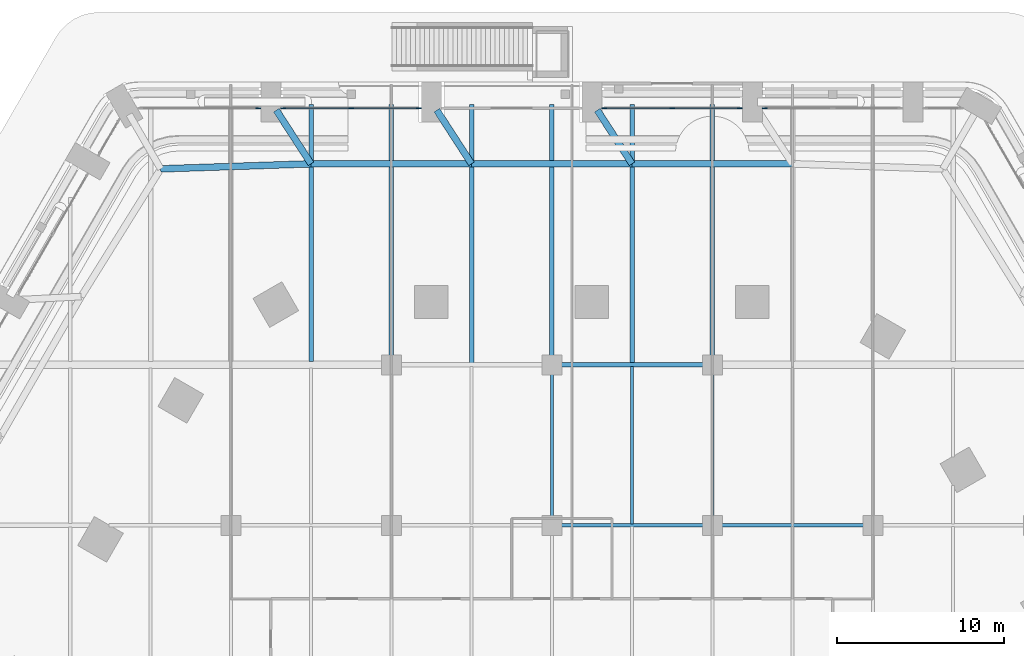
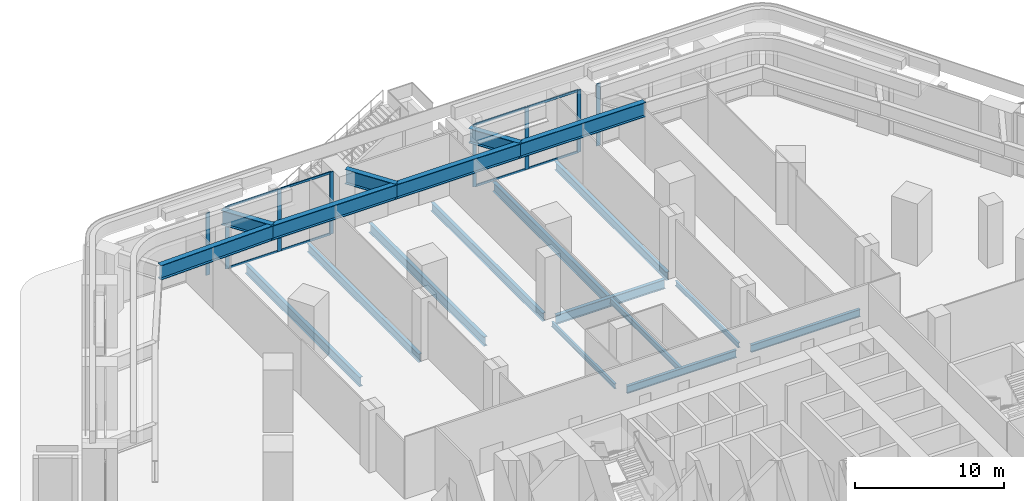
# One storey, part 10 of 34: 19 beams, 16 members, 4 elements without a shape of their own.
"""IFC4 building model written with IfcOpenShell, lengths in metres."""

from ifc_helpers import new_model, si_unit, direction, frame, origin, origin_2d, place, context, subcontext, project, spatial, rectangle, i_section, extrude, material, material_profile, profile_set, type_object, element, aggregate, save


model = new_model("IFC4")

# Units and contexts
model_context = context("Model", 3, precision=1e-05, world=origin(), true_north=direction((0.0, 1.0)))
body_context = subcontext(model_context, "Body", "Model", "MODEL_VIEW")
ifc_project = project(units=[si_unit("LENGTHUNIT", "METRE"), si_unit("AREAUNIT", "SQUARE_METRE"), si_unit("VOLUMEUNIT", "CUBIC_METRE"), si_unit("PLANEANGLEUNIT", "RADIAN"), si_unit("MASSUNIT", "GRAM", prefix="KILO")], contexts=[model_context])

# Site, building, storey
site_placement = place(None, origin())
site = spatial("IfcSite", under=ifc_project, at=site_placement, CompositionType="ELEMENT")
building_placement = place(site_placement, origin())
building = spatial("IfcBuilding", under=site, at=building_placement, Name="Kolab Exchange Tower", CompositionType="ELEMENT")
storey_placement = place(building_placement, frame((0.0, 0.0, 7.0)))
storey = spatial("IfcBuildingStorey", under=building, at=storey_placement, Name="L01", CompositionType="ELEMENT", Elevation=7.0)

# Beams
ifc_material_1 = material(Name="Steel S355", Category="steel")
ifc_material_profile_1 = material_profile(ifc_material_1, i_section(OverallWidth=0.177978515625, OverallDepth=0.406982421875, WebThickness=0.0078125, FlangeThickness=0.0126953125, at=origin_2d()), Name="W410X60")
ifc_profile_set_1 = profile_set([ifc_material_profile_1], Name="Steel S355")
beam_type_1 = type_object("IfcBeamType", Name="FLOOR BEAM W410X60", PredefinedType="BEAM", material=ifc_profile_set_1)
for number, where, z_axis, x_axis, name in (
    (1, (0.0, 19.760009765625, -0.50341796875), (0.0, 1.0, 0.0), (-1.0, 0.0, 0.0), "beam/L01/fr/075"),
    (2, (9.60009765625, 19.760009765625, -0.50341796875), (0.0, 1.0, 0.0), (-1.0, 0.0, 0.0), "beam/L01/fr/091"),
):
    element("IfcBeam", number, at=place(storey_placement, frame(where, z_axis=z_axis, x_axis=x_axis)), inside=storey, type_object=beam_type_1, Name=name, PredefinedType="BEAM", context=body_context, shape_type="SweptSolid", body=[
        extrude(i_section(OverallWidth=0.177978515625, OverallDepth=0.406982421875, WebThickness=0.0078125, FlangeThickness=0.0126953125, at=origin_2d()), origin(), (0.0, 0.0, 1.0), 8.47998046875),
    ])
ifc_material_profile_2 = material_profile(ifc_material_1, i_section(OverallWidth=0.18994140625, OverallDepth=0.45703125, WebThickness=0.009033203125, FlangeThickness=0.014404296875, at=origin_2d()), Name="W460X74")
ifc_profile_set_2 = profile_set([ifc_material_profile_2], Name="Steel S355")
beam_type_2 = type_object("IfcBeamType", Name="FLOOR BEAM W460X74", PredefinedType="BEAM", material=ifc_profile_set_2)
beam_1_placement = place(storey_placement, frame((4.800048828125, 19.27392578125, -0.528564453125), z_axis=(0.0, 1.0, 0.0), x_axis=(-1.0, 0.0, 0.0)))
element("IfcBeam", 3, at=beam_1_placement, inside=storey, type_object=beam_type_2, Name="beam/L01/fr/083", PredefinedType="BEAM", context=body_context, shape_type="SweptSolid", body=[
    extrude(i_section(OverallWidth=0.18994140625, OverallDepth=0.45703125, WebThickness=0.009033203125, FlangeThickness=0.014404296875, at=origin_2d()), origin(), (0.0, 0.0, 1.0), 9.4326171875),
])
ifc_material_profile_3 = material_profile(ifc_material_1, i_section(OverallWidth=0.25390625, OverallDepth=0.68408203125, WebThickness=0.012451171875, FlangeThickness=0.018798828125, at=origin_2d()), Name="W690X140")
ifc_profile_set_3 = profile_set([ifc_material_profile_3], Name="Steel S355")
beam_type_3 = type_object("IfcBeamType", Name="FLOOR BEAM W690X140", PredefinedType="BEAM", material=ifc_profile_set_3)
for number, where, z_axis, x_axis, name in (
    (4, (-9.60009765625, 29.360107421875, -0.64208984375), (0.0, 1.0, 0.0), (-1.0, 0.0, 0.0), "beam/L01/fr/061"),
    (5, (0.0, 29.360107421875, -0.64208984375), (0.0, 1.0, 0.0), (-1.0, 0.0, 0.0), "beam/L01/fr/076"),
    (6, (9.60009765625, 29.360107421875, -0.64208984375), (0.0, 1.0, 0.0), (-1.0, 0.0, 0.0), "beam/L01/fr/092"),
):
    element("IfcBeam", number, at=place(storey_placement, frame(where, z_axis=z_axis, x_axis=x_axis)), inside=storey, type_object=beam_type_3, Name=name, PredefinedType="BEAM", context=body_context, shape_type="SweptSolid", body=[
        extrude(i_section(OverallWidth=0.25390625, OverallDepth=0.68408203125, WebThickness=0.012451171875, FlangeThickness=0.018798828125, at=origin_2d()), origin(), (0.0, 0.0, 1.0), 15.006103515625),
    ])
ifc_material_profile_4 = material_profile(ifc_material_1, i_section(OverallWidth=0.26708984375, OverallDepth=0.761962890625, WebThickness=0.014404296875, FlangeThickness=0.021484375, at=origin_2d()), Name="W760X173")
ifc_profile_set_4 = profile_set([ifc_material_profile_4], Name="Steel S355")
beam_type_4 = type_object("IfcBeamType", Name="FLOOR BEAM W760X173", PredefinedType="BEAM", material=ifc_profile_set_4)
beam_2_placement = place(storey_placement, frame((-14.39990234375, 28.985107421875, -0.680908203125), z_axis=(0.0, 1.0, 0.0), x_axis=(-1.0, 0.0, 0.0)))
element("IfcBeam", 7, at=beam_2_placement, inside=storey, type_object=beam_type_4, Name="beam/L01/fr/053", PredefinedType="BEAM", context=body_context, shape_type="SweptSolid", body=[
    extrude(i_section(OverallWidth=0.26708984375, OverallDepth=0.761962890625, WebThickness=0.014404296875, FlangeThickness=0.021484375, at=origin_2d()), origin(), (0.0, 0.0, 1.0), 15.381103515625),
])
for number, where, z_axis, x_axis, name in (
    (8, (-4.800048828125, 28.8935546875, -0.680908203125), (0.0, 1.0, 0.0), (-1.0, 0.0, 0.0), "beam/L01/fr/069"),
    (9, (4.800048828125, 28.8935546875, -0.680908203125), (0.0, 1.0, 0.0), (-1.0, 0.0, 0.0), "beam/L01/fr/084"),
):
    element("IfcBeam", number, at=place(storey_placement, frame(where, z_axis=z_axis, x_axis=x_axis)), inside=storey, type_object=beam_type_4, Name=name, PredefinedType="BEAM", context=body_context, shape_type="SweptSolid", body=[
        extrude(i_section(OverallWidth=0.26708984375, OverallDepth=0.761962890625, WebThickness=0.014404296875, FlangeThickness=0.021484375, at=origin_2d()), origin(), (0.0, 0.0, 1.0), 15.47265625),
    ])
ifc_material_profile_5 = material_profile(ifc_material_1, i_section(OverallWidth=0.22802734375, OverallDepth=0.60791015625, WebThickness=0.01123046875, FlangeThickness=0.017333984375, at=origin_2d()), Name="W610X113")
ifc_profile_set_5 = profile_set([ifc_material_profile_5], Name="Steel S355")
beam_type_5 = type_object("IfcBeamType", Name="FLOOR GIRDER W610X113", PredefinedType="BEAM", material=ifc_profile_set_5)
for number, where, z_axis, x_axis, name in (
    (10, (0.56005859375, 19.199951171875, -0.60400390625), (1.0, 0.0, 0.0), (0.0, 1.0, 0.0), "beam/L01/gd/025"),
    (11, (10.159912109375, 19.199951171875, -0.60400390625), (1.0, 0.0, 0.0), (0.0, 1.0, 0.0), "beam/L01/gd/029"),
):
    element("IfcBeam", number, at=place(storey_placement, frame(where, z_axis=z_axis, x_axis=x_axis)), inside=storey, type_object=beam_type_5, Name=name, PredefinedType="BEAM", context=body_context, shape_type="SweptSolid", body=[
        extrude(i_section(OverallWidth=0.22802734375, OverallDepth=0.60791015625, WebThickness=0.01123046875, FlangeThickness=0.017333984375, at=origin_2d()), origin(), (0.0, 0.0, 1.0), 8.47998046875),
    ])
ifc_material_profile_6 = material_profile(ifc_material_1, i_section(OverallWidth=0.26708984375, OverallDepth=0.761962890625, WebThickness=0.014404296875, FlangeThickness=0.021484375, at=origin_2d()), Name="W760X173")
ifc_profile_set_6 = profile_set([ifc_material_profile_6], Name="Steel S355")
beam_type_6 = type_object("IfcBeamType", Name="FLOOR GIRDER W760X173", PredefinedType="BEAM", material=ifc_profile_set_6)
beam_3_placement = place(storey_placement, frame((0.56005859375, 28.800048828125, -0.680908203125), z_axis=(1.0, 0.0, 0.0), x_axis=(0.0, 1.0, 0.0)))
element("IfcBeam", 12, at=beam_3_placement, inside=storey, type_object=beam_type_6, Name="beam/L01/gd/026", PredefinedType="BEAM", context=body_context, shape_type="SweptSolid", body=[
    extrude(i_section(OverallWidth=0.26708984375, OverallDepth=0.761962890625, WebThickness=0.014404296875, FlangeThickness=0.021484375, at=origin_2d()), origin(), (0.0, 0.0, 1.0), 8.47998046875),
])

# Curtain wall, member
ifc_material_2 = material(Name="Aluminium EN AW-6063 T6", Category="aluminium")
curtain_wall_type = type_object("IfcCurtainWallType", Name="PODIUM STRUCTURAL GLAZING CURTAIN WALL", PredefinedType="NOTDEFINED", material=ifc_material_2)
curtain_wall_1_placement = place(storey_placement, origin())
curtain_wall_1 = element("IfcCurtainWall", 13, at=curtain_wall_1_placement, inside=storey, type_object=curtain_wall_type, Name="cw/L01/F1-1", PredefinedType="NOTDEFINED")
ifc_material_profile_7 = material_profile(ifc_material_2, rectangle(XDim=0.080078125, YDim=0.300048828125, at=origin_2d()), Name="RECT 80X300")
ifc_profile_set_7 = profile_set([ifc_material_profile_7], Name="Aluminium EN AW-6063 T6")
member_type_1 = type_object("IfcMemberType", Name="PODIUM STRUCTURAL GLAZING MULLION 80 X 300", PredefinedType="MULLION", material=ifc_profile_set_7)
member_1_placement = place(storey_placement, frame((-17.550048828125, 44.146240234375, 0.0), z_axis=(0.0, 0.0, 1.0), x_axis=(0.0, 1.0, 0.0)))
member_1 = element("IfcMember", 14, at=member_1_placement, type_object=member_type_1, Name="CW5 mullion 2", PredefinedType="MULLION", context=body_context, shape_type="SweptSolid", body=[
    extrude(rectangle(XDim=0.080078125, YDim=0.300048828125, at=origin_2d()), origin(), (0.0, 0.0, 1.0), 5.10009765625),
])
aggregate(curtain_wall_1, [member_1])

# Curtain wall, members
curtain_wall_2_placement = place(storey_placement, origin())
curtain_wall_2 = element("IfcCurtainWall", 15, at=curtain_wall_2_placement, inside=storey, type_object=curtain_wall_type, Name="cw/L01/F1-2", PredefinedType="NOTDEFINED")
member_2_placement = place(storey_placement, frame((-16.050048828125, 44.146240234375, 0.0), z_axis=(0.0, 0.0, 1.0), x_axis=(0.0, 1.0, 0.0)))
member_2 = element("IfcMember", 16, at=member_2_placement, type_object=member_type_1, Name="CW5 mullion 1", PredefinedType="MULLION", context=body_context, shape_type="SweptSolid", body=[
    extrude(rectangle(XDim=0.080078125, YDim=0.300048828125, at=origin_2d()), origin(), (0.0, 0.0, 1.0), 5.10009765625),
])
member_3_placement = place(storey_placement, frame((-12.0, 44.146240234375, 0.0), z_axis=(0.0, 0.0, 1.0), x_axis=(0.0, 1.0, 0.0)))
member_3 = element("IfcMember", 17, at=member_3_placement, type_object=member_type_1, Name="CW5 mullion 2", PredefinedType="MULLION", context=body_context, shape_type="SweptSolid", body=[
    extrude(rectangle(XDim=0.080078125, YDim=0.300048828125, at=origin_2d()), origin(), (0.0, 0.0, 1.0), 5.10009765625),
])
member_4_placement = place(storey_placement, frame((-7.949951171875, 44.146240234375, 0.0), z_axis=(0.0, 0.0, 1.0), x_axis=(0.0, 1.0, 0.0)))
member_4 = element("IfcMember", 18, at=member_4_placement, type_object=member_type_1, Name="CW5 mullion 3", PredefinedType="MULLION", context=body_context, shape_type="SweptSolid", body=[
    extrude(rectangle(XDim=0.080078125, YDim=0.300048828125, at=origin_2d()), origin(), (0.0, 0.0, 1.0), 5.10009765625),
])

curtain_wall_3_placement = place(storey_placement, origin())
curtain_wall_3 = element("IfcCurtainWall", 19, at=curtain_wall_3_placement, inside=storey, type_object=curtain_wall_type, Name="cw/L01/F1-3", PredefinedType="NOTDEFINED")
member_5_placement = place(storey_placement, frame((3.14990234375, 44.146240234375, 0.0), z_axis=(0.0, 0.0, 1.0), x_axis=(0.0, 1.0, 0.0)))
member_5 = element("IfcMember", 20, at=member_5_placement, type_object=member_type_1, Name="CW5 mullion 1", PredefinedType="MULLION", context=body_context, shape_type="SweptSolid", body=[
    extrude(rectangle(XDim=0.080078125, YDim=0.300048828125, at=origin_2d()), origin(), (0.0, 0.0, 1.0), 5.10009765625),
])
member_6_placement = place(storey_placement, frame((7.199951171875, 44.146240234375, 0.0), z_axis=(0.0, 0.0, 1.0), x_axis=(0.0, 1.0, 0.0)))
member_6 = element("IfcMember", 21, at=member_6_placement, type_object=member_type_1, Name="CW5 mullion 2", PredefinedType="MULLION", context=body_context, shape_type="SweptSolid", body=[
    extrude(rectangle(XDim=0.080078125, YDim=0.300048828125, at=origin_2d()), origin(), (0.0, 0.0, 1.0), 5.10009765625),
])
member_7_placement = place(storey_placement, frame((11.25, 44.146240234375, 0.0), z_axis=(0.0, 0.0, 1.0), x_axis=(0.0, 1.0, 0.0)))
member_7 = element("IfcMember", 22, at=member_7_placement, type_object=member_type_1, Name="CW5 mullion 3", PredefinedType="MULLION", context=body_context, shape_type="SweptSolid", body=[
    extrude(rectangle(XDim=0.080078125, YDim=0.300048828125, at=origin_2d()), origin(), (0.0, 0.0, 1.0), 5.10009765625),
])

# Curtain wall, member
curtain_wall_4_placement = place(storey_placement, origin())
curtain_wall_4 = element("IfcCurtainWall", 23, at=curtain_wall_4_placement, inside=storey, type_object=curtain_wall_type, Name="cw/L01/F1-4", PredefinedType="NOTDEFINED")
member_8_placement = place(storey_placement, frame((12.75, 44.146240234375, 0.0), z_axis=(0.0, 0.0, 1.0), x_axis=(0.0, 1.0, 0.0)))
member_8 = element("IfcMember", 24, at=member_8_placement, type_object=member_type_1, Name="CW5 mullion 1", PredefinedType="MULLION", context=body_context, shape_type="SweptSolid", body=[
    extrude(rectangle(XDim=0.080078125, YDim=0.300048828125, at=origin_2d()), origin(), (0.0, 0.0, 1.0), 5.10009765625),
])
aggregate(curtain_wall_4, [member_8])

# Member
ifc_material_profile_8 = material_profile(ifc_material_2, rectangle(XDim=0.080078125, YDim=0.179931640625, at=origin_2d()), Name="RECT 80X180")
ifc_profile_set_8 = profile_set([ifc_material_profile_8], Name="Aluminium EN AW-6063 T6")
member_type_2 = type_object("IfcMemberType", Name="PODIUM STRUCTURAL GLAZING TRANSOM 80 X 180", PredefinedType="USERDEFINED", material=ifc_profile_set_8)
member_9_placement = place(storey_placement, frame((-16.010009765625, 44.146240234375, 0.0400390625), z_axis=(1.0, 0.0, 0.0), x_axis=(0.0, 1.0, 0.0)))
member_9 = element("IfcMember", 25, at=member_9_placement, type_object=member_type_2, Name="CW5 transom 1.1", ObjectType="TRANSOM", PredefinedType="USERDEFINED", context=body_context, shape_type="SweptSolid", body=[
    extrude(rectangle(XDim=0.080078125, YDim=0.179931640625, at=origin_2d()), origin(), (0.0, 0.0, 1.0), 3.969970703125),
])

member_10_placement = place(storey_placement, frame((-16.010009765625, 44.146240234375, 5.06005859375), z_axis=(1.0, 0.0, 0.0), x_axis=(0.0, 1.0, 0.0)))
member_10 = element("IfcMember", 26, at=member_10_placement, type_object=member_type_2, Name="CW5 transom 1.2", ObjectType="TRANSOM", PredefinedType="USERDEFINED", context=body_context, shape_type="SweptSolid", body=[
    extrude(rectangle(XDim=0.080078125, YDim=0.179931640625, at=origin_2d()), origin(), (0.0, 0.0, 1.0), 3.969970703125),
])

member_11_placement = place(storey_placement, frame((-11.9599609375, 44.146240234375, 0.0400390625), z_axis=(1.0, 0.0, 0.0), x_axis=(0.0, 1.0, 0.0)))
member_11 = element("IfcMember", 27, at=member_11_placement, type_object=member_type_2, Name="CW5 transom 2.1", ObjectType="TRANSOM", PredefinedType="USERDEFINED", context=body_context, shape_type="SweptSolid", body=[
    extrude(rectangle(XDim=0.080078125, YDim=0.179931640625, at=origin_2d()), origin(), (0.0, 0.0, 1.0), 3.969970703125),
])

member_12_placement = place(storey_placement, frame((-11.9599609375, 44.146240234375, 5.06005859375), z_axis=(1.0, 0.0, 0.0), x_axis=(0.0, 1.0, 0.0)))
member_12 = element("IfcMember", 28, at=member_12_placement, type_object=member_type_2, Name="CW5 transom 2.2", ObjectType="TRANSOM", PredefinedType="USERDEFINED", context=body_context, shape_type="SweptSolid", body=[
    extrude(rectangle(XDim=0.080078125, YDim=0.179931640625, at=origin_2d()), origin(), (0.0, 0.0, 1.0), 3.969970703125),
])

aggregate(curtain_wall_2, [member_2, member_3, member_4, member_9, member_10, member_11, member_12])

member_13_placement = place(storey_placement, frame((3.18994140625, 44.146240234375, 0.0400390625), z_axis=(1.0, 0.0, 0.0), x_axis=(0.0, 1.0, 0.0)))
member_13 = element("IfcMember", 29, at=member_13_placement, type_object=member_type_2, Name="CW5 transom 1.1", ObjectType="TRANSOM", PredefinedType="USERDEFINED", context=body_context, shape_type="SweptSolid", body=[
    extrude(rectangle(XDim=0.080078125, YDim=0.179931640625, at=origin_2d()), origin(), (0.0, 0.0, 1.0), 3.969970703125),
])

member_14_placement = place(storey_placement, frame((3.18994140625, 44.146240234375, 5.06005859375), z_axis=(1.0, 0.0, 0.0), x_axis=(0.0, 1.0, 0.0)))
member_14 = element("IfcMember", 30, at=member_14_placement, type_object=member_type_2, Name="CW5 transom 1.2", ObjectType="TRANSOM", PredefinedType="USERDEFINED", context=body_context, shape_type="SweptSolid", body=[
    extrude(rectangle(XDim=0.080078125, YDim=0.179931640625, at=origin_2d()), origin(), (0.0, 0.0, 1.0), 3.969970703125),
])

member_15_placement = place(storey_placement, frame((7.239990234375, 44.146240234375, 0.0400390625), z_axis=(1.0, 0.0, 0.0), x_axis=(0.0, 1.0, 0.0)))
member_15 = element("IfcMember", 31, at=member_15_placement, type_object=member_type_2, Name="CW5 transom 2.1", ObjectType="TRANSOM", PredefinedType="USERDEFINED", context=body_context, shape_type="SweptSolid", body=[
    extrude(rectangle(XDim=0.080078125, YDim=0.179931640625, at=origin_2d()), origin(), (0.0, 0.0, 1.0), 3.969970703125),
])

member_16_placement = place(storey_placement, frame((7.239990234375, 44.146240234375, 5.06005859375), z_axis=(1.0, 0.0, 0.0), x_axis=(0.0, 1.0, 0.0)))
member_16 = element("IfcMember", 32, at=member_16_placement, type_object=member_type_2, Name="CW5 transom 2.2", ObjectType="TRANSOM", PredefinedType="USERDEFINED", context=body_context, shape_type="SweptSolid", body=[
    extrude(rectangle(XDim=0.080078125, YDim=0.179931640625, at=origin_2d()), origin(), (0.0, 0.0, 1.0), 3.969970703125),
])

aggregate(curtain_wall_3, [member_5, member_6, member_7, member_13, member_14, member_15, member_16])

# Beams
ifc_material_profile_9 = material_profile(ifc_material_1, i_section(OverallWidth=0.39990234375, OverallDepth=1.199951171875, WebThickness=0.02490234375, FlangeThickness=0.0400390625, at=origin_2d()), Name="PG1200X400")
ifc_profile_set_9 = profile_set([ifc_material_profile_9], Name="Steel S355")
beam_type_7 = type_object("IfcBeamType", Name="TRANSFER GIRDER PG1200X400", PredefinedType="BEAM", material=ifc_profile_set_9)
for number, where, z_axis, x_axis, name in (
    (33, (-14.39990234375, 40.819091796875, 4.5), (-0.543444396742, 0.839445166553, 0.0), (-0.839445166553, -0.543444396742, 0.0), "beam/L01/tg/P2-F1-03"),
    (34, (-4.800048828125, 40.819091796875, 4.5), (-0.543444396742, 0.839445166553, 0.0), (-0.839445166553, -0.543444396742, 0.0), "beam/L01/tg/P2-F1-05"),
    (35, (4.800048828125, 40.819091796875, 4.5), (-0.543444396742, 0.839445166553, 0.0), (-0.839445166553, -0.543444396742, 0.0), "beam/L01/tg/P2-F1-07"),
):
    element("IfcBeam", number, at=place(storey_placement, frame(where, z_axis=z_axis, x_axis=x_axis)), inside=storey, type_object=beam_type_7, Name=name, PredefinedType="BEAM", context=body_context, shape_type="SweptSolid", body=[
        extrude(i_section(OverallWidth=0.39990234375, OverallDepth=1.199951171875, WebThickness=0.02490234375, FlangeThickness=0.0400390625, at=origin_2d()), origin(), (0.0, 0.0, 1.0), 3.826171875),
    ])
beam_4_placement = place(storey_placement, frame((-23.392822265625, 40.517822265625, 4.5), z_axis=(0.999439321882, 0.033481963437, 0.0), x_axis=(-0.033481963437, 0.999439321882, 0.0)))
element("IfcBeam", 36, at=beam_4_placement, inside=storey, type_object=beam_type_7, Name="beam/L01/rg/P2-F1-01", PredefinedType="BEAM", context=body_context, shape_type="SweptSolid", body=[
    extrude(i_section(OverallWidth=0.39990234375, OverallDepth=1.199951171875, WebThickness=0.02490234375, FlangeThickness=0.0400390625, at=origin_2d()), origin(), (0.0, 0.0, 1.0), 8.998046875),
])
beam_5_placement = place(storey_placement, frame((-14.39990234375, 40.819091796875, 4.5), z_axis=(1.0, 0.0, 0.0), x_axis=(0.0, 1.0, 0.0)))
element("IfcBeam", 37, at=beam_5_placement, inside=storey, type_object=beam_type_7, Name="beam/L01/rg/P2-F1-03", PredefinedType="BEAM", context=body_context, shape_type="SweptSolid", body=[
    extrude(i_section(OverallWidth=0.39990234375, OverallDepth=1.199951171875, WebThickness=0.02490234375, FlangeThickness=0.0400390625, at=origin_2d()), origin(), (0.0, 0.0, 1.0), 9.599853515625),
])
beam_6_placement = place(storey_placement, frame((-4.800048828125, 40.819091796875, 4.5), z_axis=(1.0, 0.0, 0.0), x_axis=(0.0, 1.0, 0.0)))
element("IfcBeam", 38, at=beam_6_placement, inside=storey, type_object=beam_type_7, Name="beam/L01/rg/P2-F1-05", PredefinedType="BEAM", context=body_context, shape_type="SweptSolid", body=[
    extrude(i_section(OverallWidth=0.39990234375, OverallDepth=1.199951171875, WebThickness=0.02490234375, FlangeThickness=0.0400390625, at=origin_2d()), origin(), (0.0, 0.0, 1.0), 9.60009765625),
])
beam_7_placement = place(storey_placement, frame((4.800048828125, 40.819091796875, 4.5), z_axis=(1.0, 0.0, 0.0), x_axis=(0.0, 1.0, 0.0)))
element("IfcBeam", 39, at=beam_7_placement, inside=storey, type_object=beam_type_7, Name="beam/L01/rg/P2-F1-07", PredefinedType="BEAM", context=body_context, shape_type="SweptSolid", body=[
    extrude(i_section(OverallWidth=0.39990234375, OverallDepth=1.199951171875, WebThickness=0.02490234375, FlangeThickness=0.0400390625, at=origin_2d()), origin(), (0.0, 0.0, 1.0), 9.599853515625),
])

save(model, "model.ifc")
